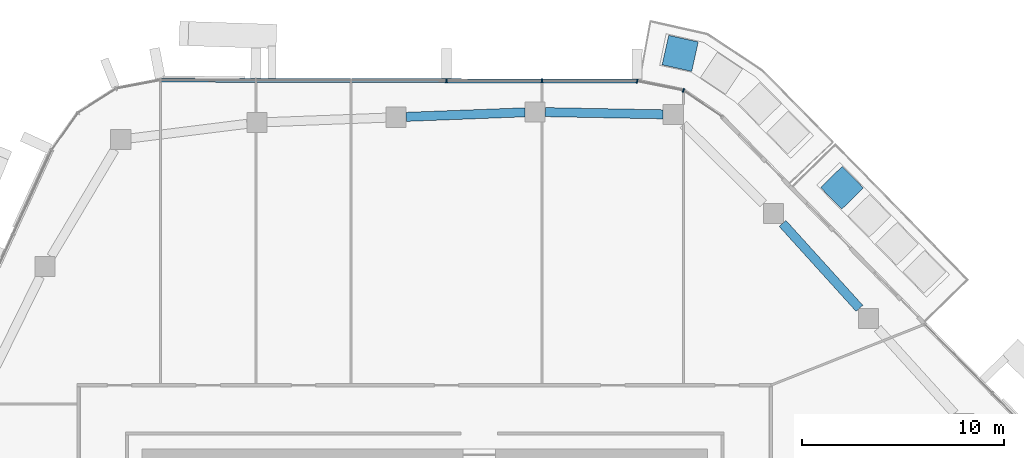
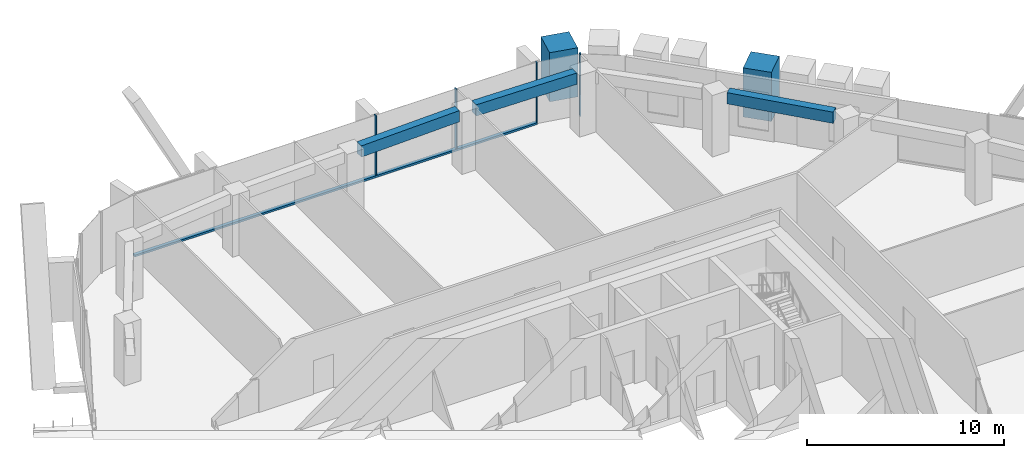
# One storey, part 9 of 24: 7 members, 3 beams, 2 elements without a shape of their own.
"""IFC4 building model written with IfcOpenShell, lengths in metres."""

from ifc_helpers import new_model, si_unit, direction, frame, origin, origin_2d, place, context, subcontext, project, spatial, rectangle, extrude, material, layer, layer_set, material_profile, profile_set, type_object, element, aggregate, save


model = new_model("IFC4")

# Units and contexts
model_context = context("Model", 3, precision=1e-05, world=origin(), true_north=direction((0.0, 1.0)))
body_context = subcontext(model_context, "Body", "Model", "MODEL_VIEW")
ifc_project = project(units=[si_unit("LENGTHUNIT", "METRE"), si_unit("AREAUNIT", "SQUARE_METRE"), si_unit("VOLUMEUNIT", "CUBIC_METRE"), si_unit("PLANEANGLEUNIT", "RADIAN"), si_unit("MASSUNIT", "GRAM", prefix="KILO")], contexts=[model_context])

# Site, building, storey
site_placement = place(None, origin())
site = spatial("IfcSite", under=ifc_project, at=site_placement, CompositionType="ELEMENT")
building_placement = place(site_placement, origin())
building = spatial("IfcBuilding", under=site, at=building_placement, Name="Dongbaek Canopy Tower", CompositionType="ELEMENT")
storey_placement = place(building_placement, frame((0.0, 0.0, 311.0)))
storey = spatial("IfcBuildingStorey", under=building, at=storey_placement, Name="L66", CompositionType="ELEMENT", Elevation=311.0)

# Curtain wall, members
ifc_material_1 = material(Name="Aluminium 6063-T6 pale anodised", Category="aluminium")
ifc_layer = layer(ifc_material_1, 0.199951171875)
ifc_layer_set = layer_set([ifc_layer], Name="CW-1 unitised tower curtain wall")
curtain_wall_type = type_object("IfcCurtainWallType", Name="CW-1 unitised tower curtain wall", PredefinedType="NOTDEFINED", material=ifc_layer_set)
curtain_wall_1_placement = place(storey_placement, origin())
curtain_wall_1 = element("IfcCurtainWall", 1, at=curtain_wall_1_placement, inside=storey, type_object=curtain_wall_type, Name="CW-1 curtain wall K1.1", PredefinedType="NOTDEFINED")
ifc_material_2 = material(Name="Aluminium 6063-T6 pale anodised", Category="aluminium")
ifc_material_profile_1 = material_profile(ifc_material_2, rectangle(XDim=0.199951171875, YDim=0.06005859375, at=origin_2d()), Name="CW-1 mullion 60 x 200")
ifc_profile_set_1 = profile_set([ifc_material_profile_1], Name="Aluminium 6063-T6 pale anodised")
member_type_1 = type_object("IfcMemberType", Name="CW-1 mullion 60 x 200", PredefinedType="MULLION", material=ifc_profile_set_1)
member_1_placement = place(storey_placement, frame((12.813720703125, 28.750732421875, 0.0), z_axis=(0.0, 0.0, 1.0), x_axis=(0.388722757848, 0.921354772892, 0.0)))
member_1 = element("IfcMember", 2, at=member_1_placement, type_object=member_type_1, Name="CW-1 mullion K1.1.2", PredefinedType="MULLION", context=body_context, shape_type="SweptSolid", body=[
    extrude(rectangle(XDim=0.199951171875, YDim=0.06005859375, at=origin_2d()), origin(), (0.0, 0.0, 1.0), 3.820068359375),
])
member_2_placement = place(storey_placement, frame((10.52392578125, 29.216552734375, 0.0), z_axis=(0.0, 0.0, 1.0), x_axis=(0.199367619142, 0.979924768764, 0.0)))
member_2 = element("IfcMember", 3, at=member_2_placement, type_object=member_type_1, Name="CW-1 mullion K1.1.3", PredefinedType="MULLION", context=body_context, shape_type="SweptSolid", body=[
    extrude(rectangle(XDim=0.199951171875, YDim=0.06005859375, at=origin_2d()), origin(), (0.0, 0.0, 1.0), 3.820068359375),
])
aggregate(curtain_wall_1, [member_1, member_2])

curtain_wall_2_placement = place(storey_placement, origin())
curtain_wall_2 = element("IfcCurtainWall", 4, at=curtain_wall_2_placement, inside=storey, type_object=curtain_wall_type, Name="CW-1 curtain wall F1.1", PredefinedType="NOTDEFINED")
member_3_placement = place(storey_placement, frame((5.8076171875, 29.226806640625, 0.1201171875), z_axis=(0.0, 0.0, 1.0), x_axis=(0.002180161438, 0.999997623445, 0.0)))
member_3 = element("IfcMember", 5, at=member_3_placement, type_object=member_type_1, Name="CW-1 mullion F1.1.2", PredefinedType="MULLION", context=body_context, shape_type="SweptSolid", body=[
    extrude(rectangle(XDim=0.199951171875, YDim=0.06005859375, at=origin_2d()), origin(), (0.0, 0.0, 1.0), 3.699951171875),
])
member_4_placement = place(storey_placement, frame((1.08154296875, 29.2373046875, 0.1201171875), z_axis=(0.0, 0.0, 1.0), x_axis=(0.002180161438, 0.999997623445, 0.0)))
member_4 = element("IfcMember", 6, at=member_4_placement, type_object=member_type_1, Name="CW-1 mullion F1.1.3", PredefinedType="MULLION", context=body_context, shape_type="SweptSolid", body=[
    extrude(rectangle(XDim=0.199951171875, YDim=0.06005859375, at=origin_2d()), origin(), (0.0, 0.0, 1.0), 3.699951171875),
])
ifc_material_3 = material(Name="Aluminium 6063-T6 pale anodised", Category="aluminium")
ifc_material_profile_2 = material_profile(ifc_material_3, rectangle(XDim=0.199951171875, YDim=0.1201171875, at=origin_2d()), Name="CW-1 transom 120 x 200")
ifc_profile_set_2 = profile_set([ifc_material_profile_2], Name="Aluminium 6063-T6 pale anodised")
member_type_2 = type_object("IfcMemberType", Name="CW-1 transom 120 x 200", PredefinedType="USERDEFINED", material=ifc_profile_set_2)
member_5_placement = place(storey_placement, frame((10.52392578125, 29.216552734375, 0.06005859375), z_axis=(-0.999997620024, 0.00218173027, 0.0), x_axis=(-0.00218173027, -0.999997620024, 0.0)))
member_5 = element("IfcMember", 7, at=member_5_placement, type_object=member_type_2, Name="CW-1 transom F1.1.1", ObjectType="TRANSOM", PredefinedType="USERDEFINED", context=body_context, shape_type="SweptSolid", body=[
    extrude(rectangle(XDim=0.199951171875, YDim=0.1201171875, at=origin_2d()), origin(), (0.0, 0.0, 1.0), 23.611328125),
])
aggregate(curtain_wall_2, [member_3, member_4, member_5])

# Beams
ifc_material_4 = material(Name="Concrete C60", Category="concrete")
ifc_material_profile_3 = material_profile(ifc_material_4, rectangle(XDim=0.449951171875, YDim=0.699951171875, at=origin_2d()), Name="RC EDGE BEAM 450x700 C60")
ifc_profile_set_3 = profile_set([ifc_material_profile_3], Name="Concrete C60")
beam_type = type_object("IfcBeamType", Name="RC EDGE BEAM 450x700 C60", PredefinedType="BEAM", material=ifc_profile_set_3)
beam_1_placement = place(storey_placement, frame((-0.91796875, 27.447265625, 3.469970703125), z_axis=(0.999267098379, 0.038278794366, 0.0), x_axis=(-0.038278794366, 0.999267098379, 0.0)))
element("IfcBeam", 8, at=beam_1_placement, inside=storey, type_object=beam_type, Name="EDGEBEAM:L66:15", PredefinedType="BEAM", context=body_context, shape_type="SweptSolid", body=[
    extrude(rectangle(XDim=0.449951171875, YDim=0.699951171875, at=origin_2d()), origin(), (0.0, 0.0, 1.0), 5.893310546875),
])
beam_2_placement = place(storey_placement, frame((5.970947265625, 27.6826171875, 3.469970703125), z_axis=(0.99982249395, -0.018840928625, 0.0), x_axis=(0.018840928625, 0.99982249395, 0.0)))
element("IfcBeam", 9, at=beam_2_placement, inside=storey, type_object=beam_type, Name="EDGEBEAM:L66:16", PredefinedType="BEAM", context=body_context, shape_type="SweptSolid", body=[
    extrude(rectangle(XDim=0.449951171875, YDim=0.699951171875, at=origin_2d()), origin(), (0.0, 0.0, 1.0), 5.843994140625),
])
beam_3_placement = place(storey_placement, frame((17.72900390625, 22.166015625, 3.469970703125), z_axis=(0.67133921348, -0.741150227986, 0.0), x_axis=(0.741150227986, 0.67133921348, 0.0)))
element("IfcBeam", 10, at=beam_3_placement, inside=storey, type_object=beam_type, Name="EDGEBEAM:L66:18", PredefinedType="BEAM", context=body_context, shape_type="SweptSolid", body=[
    extrude(rectangle(XDim=0.449951171875, YDim=0.699951171875, at=origin_2d()), origin(), (0.0, 0.0, 1.0), 5.67236328125),
])

# Members
ifc_material_5 = material(Name="Concrete C40/50 planter mass with planting", Category="concrete")
ifc_material_profile_4 = material_profile(ifc_material_5, rectangle(XDim=1.5, YDim=1.5, at=origin_2d()), Name="Terrace PLANTER shrub mass 1500 x 1500")
ifc_profile_set_4 = profile_set([ifc_material_profile_4], Name="Concrete C40/50 planter mass with planting")
member_type_3 = type_object("IfcMemberType", Name="Terrace PLANTER shrub mass 1500 x 1500", PredefinedType="USERDEFINED", material=ifc_profile_set_4)
for number, where, z_axis, x_axis, name in (
    (11, (20.6748046875, 23.934814453125, 0.419921875), (0.0, 0.0, 1.0), (0.714780141035, 0.699349233203, 0.0), "Planter shrubs L66 1.4"),
    (12, (12.65625, 30.592529296875, 0.419921875), (0.0, 0.0, 1.0), (0.21791609372, 0.975967507706, 0.0), "Planter shrubs L66 5.4"),
):
    element("IfcMember", number, at=place(storey_placement, frame(where, z_axis=z_axis, x_axis=x_axis)), inside=storey, type_object=member_type_3, Name=name, ObjectType="PLANTER", PredefinedType="USERDEFINED", context=body_context, shape_type="SweptSolid", body=[
        extrude(rectangle(XDim=1.5, YDim=1.5, at=origin_2d()), origin(), (0.0, 0.0, 1.0), 3.050048828125),
    ])

save(model, "model.ifc")
